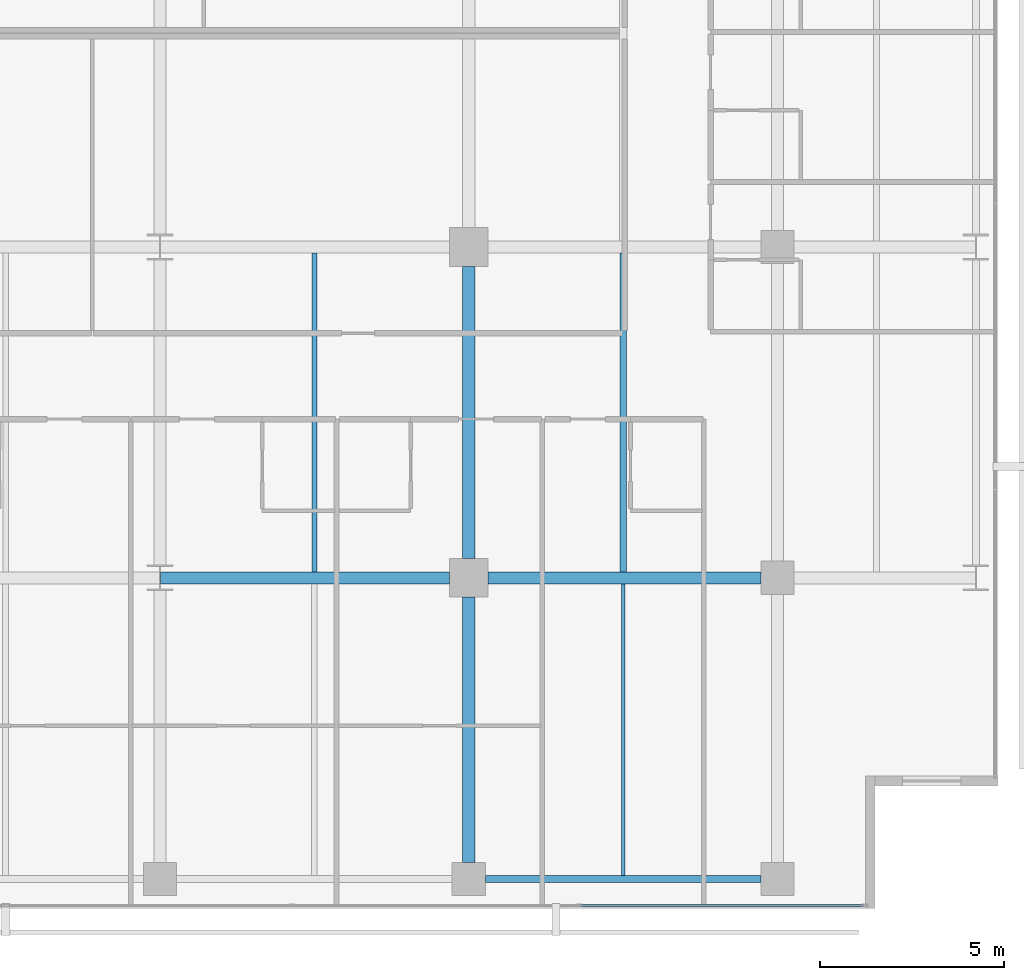
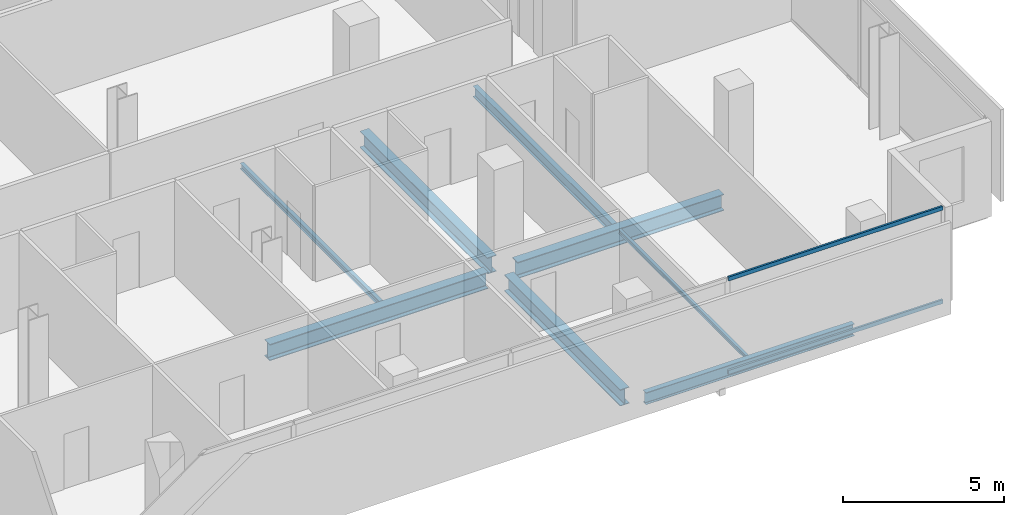
# One storey, part 15 of 40: 8 beams, 2 members, 1 element without a shape of its own.
"""IFC4 building model written with IfcOpenShell, lengths in metres."""

from ifc_helpers import new_model, si_unit, direction, frame, origin, origin_2d, place, context, subcontext, project, spatial, hollow_rectangle, i_section, extrude, material, layer, layer_set, material_profile, profile_set, type_object, element, aggregate, save


model = new_model("IFC4")

# Units and contexts
model_context = context("Model", 3, precision=1e-05, world=origin(), true_north=direction((0.0, 1.0)))
body_context = subcontext(model_context, "Body", "Model", "MODEL_VIEW")
ifc_project = project(units=[si_unit("LENGTHUNIT", "METRE"), si_unit("AREAUNIT", "SQUARE_METRE"), si_unit("VOLUMEUNIT", "CUBIC_METRE"), si_unit("PLANEANGLEUNIT", "RADIAN"), si_unit("MASSUNIT", "GRAM", prefix="KILO")], contexts=[model_context])

# Site, building, storey
site_placement = place(None, origin())
site = spatial("IfcSite", under=ifc_project, at=site_placement, CompositionType="ELEMENT")
building_placement = place(site_placement, origin())
building = spatial("IfcBuilding", under=site, at=building_placement, Name="Maruvema Waterfront Hotel and Observation Tower", CompositionType="ELEMENT")
storey_placement = place(building_placement, frame((0.0, 0.0, 57.75)))
storey = spatial("IfcBuildingStorey", under=building, at=storey_placement, Name="L13", CompositionType="ELEMENT", Elevation=57.75)

# Curtain wall, members
ifc_material_1 = material(Name="Anodised bronze aluminium and solar-control low-E IGU", Category="aluminium")
ifc_layer = layer(ifc_material_1, 0.159912109375, Name="Zone 1 Bronze Inner Thermal Curtain Wall System CW-02")
ifc_layer_set = layer_set([ifc_layer], Name="Anodised bronze aluminium and solar-control low-E IGU")
curtain_wall_type = type_object("IfcCurtainWallType", Name="Zone 1 Bronze Inner Thermal Curtain Wall System CW-02", PredefinedType="USERDEFINED", material=ifc_layer_set)
curtain_wall_placement = place(storey_placement, origin())
curtain_wall = element("IfcCurtainWall", 1, at=curtain_wall_placement, inside=storey, type_object=curtain_wall_type, Name="L13 Curtain Wall CW-L13-S", ObjectType="UNITISED CURTAIN WALL", PredefinedType="USERDEFINED")
ifc_material_2 = material(Name="Anodised architectural bronze aluminium", Category="aluminium")
ifc_material_profile_1 = material_profile(ifc_material_2, hollow_rectangle(XDim=0.070068359375, YDim=0.14990234375, WallThickness=0.00390625, at=origin_2d()), Name="ALU-T70x150")
ifc_profile_set_1 = profile_set([ifc_material_profile_1], Name="Anodised architectural bronze aluminium")
member_type = type_object("IfcMemberType", Name="Curtain Wall Horizontal Transom ALU-T70x150", PredefinedType="USERDEFINED", material=ifc_profile_set_1)
member_1_placement = place(storey_placement, frame((53.429931640625, 0.080078125, 0.030029296875), z_axis=(1.0, 0.0, 0.0), x_axis=(0.0, 1.0, 0.0)))
member_1 = element("IfcMember", 2, at=member_1_placement, type_object=member_type, Name="CW-02 transom 6.1", ObjectType="TRANSOM", PredefinedType="USERDEFINED", context=body_context, shape_type="SweptSolid", body=[
    extrude(hollow_rectangle(XDim=0.070068359375, YDim=0.14990234375, WallThickness=0.00390625, at=origin_2d()), origin(), (0.0, 0.0, 1.0), 7.7099609375),
])
member_2_placement = place(storey_placement, frame((53.429931640625, 0.080078125, 3.580078125), z_axis=(1.0, 0.0, 0.0), x_axis=(0.0, 1.0, 0.0)))
member_2 = element("IfcMember", 3, at=member_2_placement, type_object=member_type, Name="CW-02 transom 6.2", ObjectType="TRANSOM", PredefinedType="USERDEFINED", context=body_context, shape_type="SweptSolid", body=[
    extrude(hollow_rectangle(XDim=0.070068359375, YDim=0.14990234375, WallThickness=0.00390625, at=origin_2d()), origin(), (0.0, 0.0, 1.0), 7.7099609375),
])
aggregate(curtain_wall, [member_1, member_2])

# Beams
ifc_material_3 = material(Name="Steel ASTM A572 Grade 50", Category="steel")
ifc_material_profile_2 = material_profile(ifc_material_3, i_section(OverallWidth=0.18994140625, OverallDepth=0.45703125, WebThickness=0.009033203125, FlangeThickness=0.014404296875, FilletRadius=0.014892578125, at=origin_2d()), Name="W460x74.0")
ifc_profile_set_2 = profile_set([ifc_material_profile_2], Name="Steel ASTM A572 Grade 50")
beam_type_1 = type_object("IfcBeamType", Name="Perimeter Spandrel Beam W460x74.0", PredefinedType="SPANDREL", material=ifc_profile_set_2)
beam_1_placement = place(storey_placement, frame((50.85009765625, 0.800048828125, -0.468505859375), z_axis=(1.0, 0.0, 0.0), x_axis=(0.0, 1.0, 0.0)))
element("IfcBeam", 4, at=beam_1_placement, inside=storey, type_object=beam_type_1, Name="L13 Floor Girder EW-05", PredefinedType="SPANDREL", context=body_context, shape_type="SweptSolid", body=[
    extrude(i_section(OverallWidth=0.18994140625, OverallDepth=0.45703125, WebThickness=0.009033203125, FlangeThickness=0.014404296875, FilletRadius=0.014892578125, at=origin_2d()), origin(), (0.0, 0.0, 1.0), 7.5),
])
ifc_material_4 = material(Name="Steel ASTM A572 Grade 50", Category="steel")
ifc_material_profile_3 = material_profile(ifc_material_4, i_section(OverallWidth=0.326904296875, OverallDepth=0.6220703125, WebThickness=0.015380859375, FlangeThickness=0.0244140625, FilletRadius=0.01806640625, at=origin_2d()), Name="W610x195.0")
ifc_profile_set_3 = profile_set([ifc_material_profile_3], Name="Steel ASTM A572 Grade 50")
beam_type_2 = type_object("IfcBeamType", Name="Primary Floor Girder W610x195.0", PredefinedType="BEAM", material=ifc_profile_set_3)
beam_2_placement = place(storey_placement, frame((42.013916015625, 9.0, -0.551025390625), z_axis=(1.0, 0.0, 0.0), x_axis=(0.0, 1.0, 0.0)))
element("IfcBeam", 5, at=beam_2_placement, inside=storey, type_object=beam_type_2, Name="L13 Floor Girder EW-10", PredefinedType="BEAM", context=body_context, shape_type="SweptSolid", body=[
    extrude(i_section(OverallWidth=0.326904296875, OverallDepth=0.6220703125, WebThickness=0.015380859375, FlangeThickness=0.0244140625, FilletRadius=0.01806640625, at=origin_2d()), origin(), (0.0, 0.0, 1.0), 7.861083984375),
])
beam_3_placement = place(storey_placement, frame((50.925048828125, 9.0, -0.551025390625), z_axis=(1.0, 0.0, 0.0), x_axis=(0.0, 1.0, 0.0)))
element("IfcBeam", 6, at=beam_3_placement, inside=storey, type_object=beam_type_2, Name="L13 Floor Girder EW-11", PredefinedType="BEAM", context=body_context, shape_type="SweptSolid", body=[
    extrude(i_section(OverallWidth=0.326904296875, OverallDepth=0.6220703125, WebThickness=0.015380859375, FlangeThickness=0.0244140625, FilletRadius=0.01806640625, at=origin_2d()), origin(), (0.0, 0.0, 1.0), 7.425048828125),
])
beam_4_placement = place(storey_placement, frame((50.39990234375, 1.25, -0.551025390625), z_axis=(0.0, 1.0, 0.0), x_axis=(-1.0, 0.0, 0.0)))
element("IfcBeam", 7, at=beam_4_placement, inside=storey, type_object=beam_type_2, Name="L13 Floor Girder NS-22", PredefinedType="BEAM", context=body_context, shape_type="SweptSolid", body=[
    extrude(i_section(OverallWidth=0.326904296875, OverallDepth=0.6220703125, WebThickness=0.015380859375, FlangeThickness=0.0244140625, FilletRadius=0.01806640625, at=origin_2d()), origin(), (0.0, 0.0, 1.0), 7.22509765625),
])
beam_5_placement = place(storey_placement, frame((50.39990234375, 9.52490234375, -0.551025390625), z_axis=(0.0, 1.0, 0.0), x_axis=(-1.0, 0.0, 0.0)))
element("IfcBeam", 8, at=beam_5_placement, inside=storey, type_object=beam_type_2, Name="L13 Floor Girder NS-23", PredefinedType="BEAM", context=body_context, shape_type="SweptSolid", body=[
    extrude(i_section(OverallWidth=0.326904296875, OverallDepth=0.6220703125, WebThickness=0.015380859375, FlangeThickness=0.0244140625, FilletRadius=0.01806640625, at=origin_2d()), origin(), (0.0, 0.0, 1.0), 7.9501953125),
])
ifc_material_5 = material(Name="Steel ASTM A572 Grade 50", Category="steel")
ifc_material_profile_4 = material_profile(ifc_material_5, i_section(OverallWidth=0.10009765625, OverallDepth=0.153076171875, WebThickness=0.005859375, FlangeThickness=0.007080078125, FilletRadius=0.008056640625, at=origin_2d()), Name="W150x18.0")
ifc_profile_set_4 = profile_set([ifc_material_profile_4], Name="Steel ASTM A572 Grade 50")
beam_type_3 = type_object("IfcBeamType", Name="Secondary Floor Joist W150x18.0", PredefinedType="JOIST", material=ifc_profile_set_4)
beam_6_placement = place(storey_placement, frame((54.60009765625, 0.89501953125, -0.31640625), z_axis=(0.0, 1.0, 0.0), x_axis=(-1.0, 0.0, 0.0)))
element("IfcBeam", 9, at=beam_6_placement, inside=storey, type_object=beam_type_3, Name="L13 Secondary Floor Joist JS-16", PredefinedType="JOIST", context=body_context, shape_type="SweptSolid", body=[
    extrude(i_section(OverallWidth=0.10009765625, OverallDepth=0.153076171875, WebThickness=0.005859375, FlangeThickness=0.007080078125, FilletRadius=0.008056640625, at=origin_2d()), origin(), (0.0, 0.0, 1.0), 7.94140625),
])
ifc_material_6 = material(Name="Steel ASTM A572 Grade 50", Category="steel")
ifc_material_profile_5 = material_profile(ifc_material_6, i_section(OverallWidth=0.133056640625, OverallDepth=0.20703125, WebThickness=0.005859375, FlangeThickness=0.00830078125, FilletRadius=0.010009765625, at=origin_2d()), Name="W200x26.6")
ifc_profile_set_5 = profile_set([ifc_material_profile_5], Name="Steel ASTM A572 Grade 50")
beam_type_4 = type_object("IfcBeamType", Name="Secondary Floor Joist W200x26.6", PredefinedType="JOIST", material=ifc_profile_set_5)
beam_7_placement = place(storey_placement, frame((46.199951171875, 9.16357421875, -0.343505859375), z_axis=(0.0, 1.0, 0.0), x_axis=(-1.0, 0.0, 0.0)))
element("IfcBeam", 10, at=beam_7_placement, inside=storey, type_object=beam_type_4, Name="L13 Secondary Floor Joist JS-15", PredefinedType="JOIST", context=body_context, shape_type="SweptSolid", body=[
    extrude(i_section(OverallWidth=0.133056640625, OverallDepth=0.20703125, WebThickness=0.005859375, FlangeThickness=0.00830078125, FilletRadius=0.010009765625, at=origin_2d()), origin(), (0.0, 0.0, 1.0), 8.6728515625),
])
ifc_material_7 = material(Name="Steel ASTM A572 Grade 50", Category="steel")
ifc_material_profile_6 = material_profile(ifc_material_7, i_section(OverallWidth=0.177001953125, OverallDepth=0.403076171875, WebThickness=0.007568359375, FlangeThickness=0.010986328125, FilletRadius=0.014892578125, at=origin_2d()), Name="W410x53.0")
ifc_profile_set_6 = profile_set([ifc_material_profile_6], Name="Steel ASTM A572 Grade 50")
beam_type_5 = type_object("IfcBeamType", Name="Secondary Floor Joist W410x53.0", PredefinedType="JOIST", material=ifc_profile_set_6)
beam_8_placement = place(storey_placement, frame((54.60009765625, 9.16357421875, -0.44140625), z_axis=(0.0, 1.0, 0.0), x_axis=(-1.0, 0.0, 0.0)))
element("IfcBeam", 11, at=beam_8_placement, inside=storey, type_object=beam_type_5, Name="L13 Secondary Floor Joist JS-17", PredefinedType="JOIST", context=body_context, shape_type="SweptSolid", body=[
    extrude(i_section(OverallWidth=0.177001953125, OverallDepth=0.403076171875, WebThickness=0.007568359375, FlangeThickness=0.010986328125, FilletRadius=0.014892578125, at=origin_2d()), origin(), (0.0, 0.0, 1.0), 8.6728515625),
])

save(model, "model.ifc")
